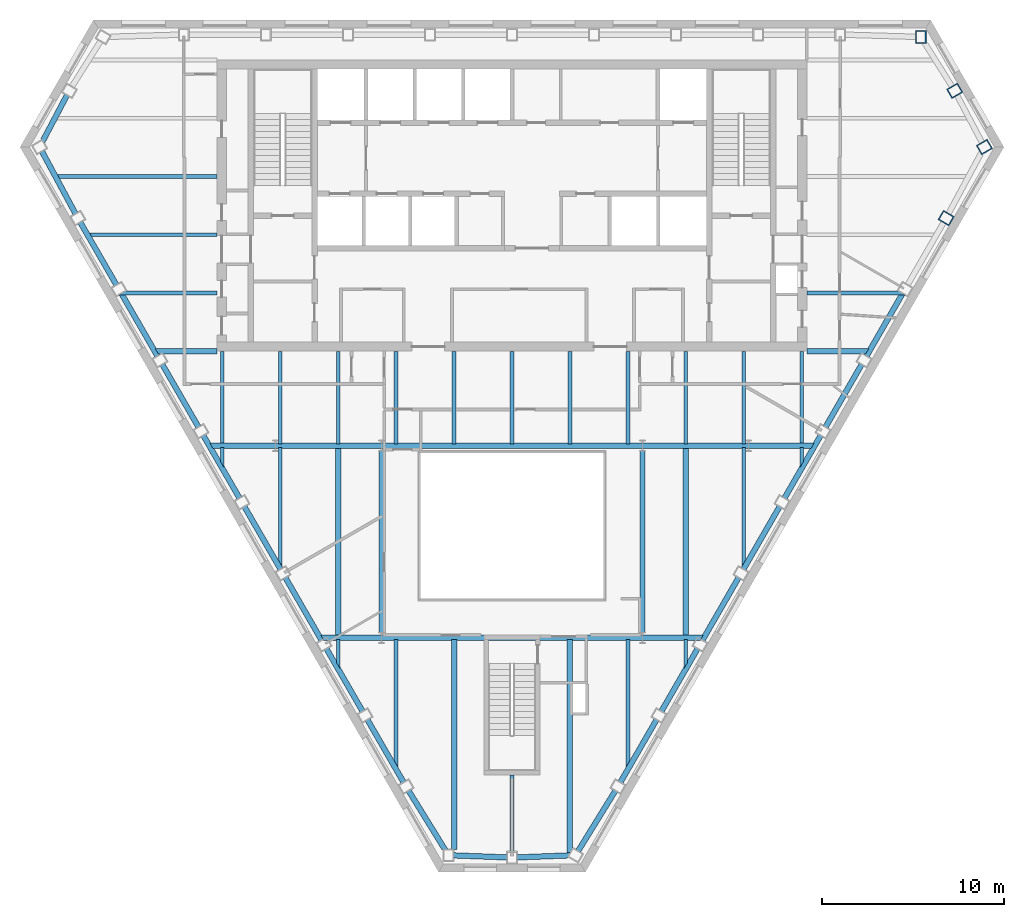
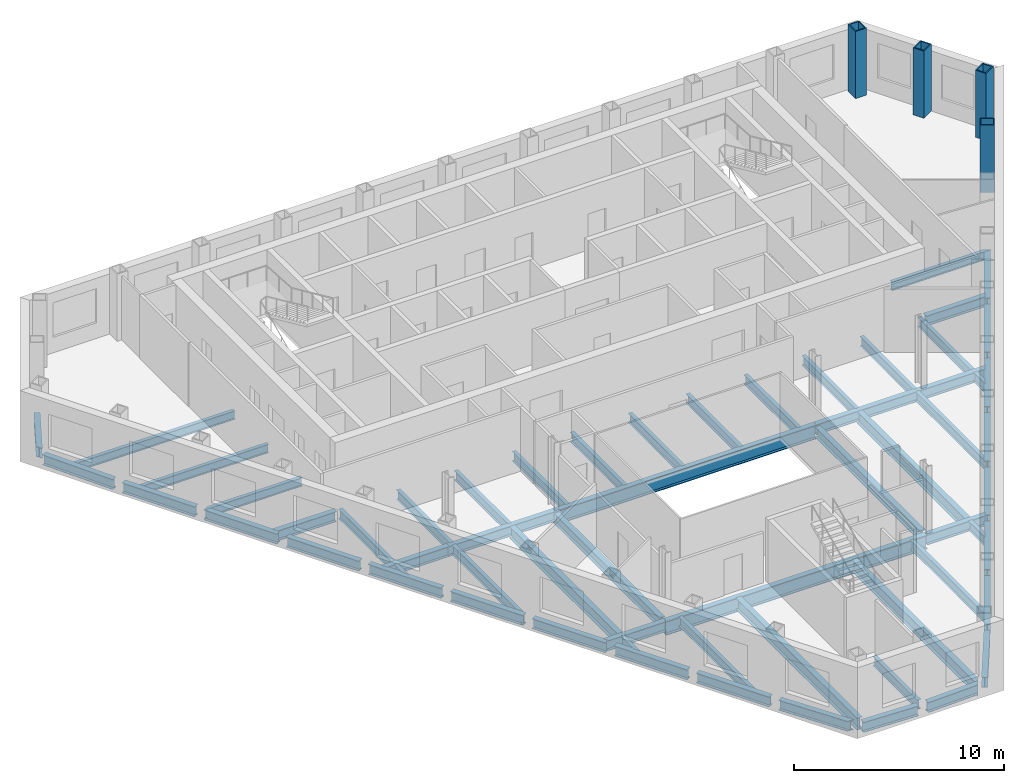
# One storey, part 2 of 11: 61 beams, 4 columns.
"""IFC4 building model written with IfcOpenShell, lengths in metres."""

from ifc_helpers import new_model, si_unit, direction, frame, origin, origin_2d, place, context, subcontext, project, spatial, hollow_rectangle, i_section, extrude, clip, halfspace, material, material_profile, profile_set, type_object, element, save


model = new_model("IFC4")

# Units and contexts
model_context = context("Model", 3, precision=1e-05, world=origin(), true_north=direction((0.0, 1.0)))
body_context = subcontext(model_context, "Body", "Model", "MODEL_VIEW")
ifc_project = project(units=[si_unit("LENGTHUNIT", "METRE"), si_unit("AREAUNIT", "SQUARE_METRE"), si_unit("VOLUMEUNIT", "CUBIC_METRE"), si_unit("PLANEANGLEUNIT", "RADIAN"), si_unit("MASSUNIT", "GRAM", prefix="KILO")], contexts=[model_context])

# Site, building, storey
site_placement = place(None, origin())
site = spatial("IfcSite", under=ifc_project, at=site_placement, CompositionType="ELEMENT")
building_placement = place(site_placement, origin())
building = spatial("IfcBuilding", under=site, at=building_placement, Name="Njiva Tower", CompositionType="ELEMENT")
storey_placement = place(building_placement, frame((0.0, 0.0, 182.7)))
storey = spatial("IfcBuildingStorey", under=building, at=storey_placement, Name="L40", CompositionType="ELEMENT", Elevation=182.7)

# Columns
ifc_material = material(Name="Steel S355 J2", Category="steel")
ifc_material_profile_1 = material_profile(ifc_material, hollow_rectangle(XDim=0.6, YDim=0.7, WallThickness=0.06, at=origin_2d()), Name="BOX 700x600x60")
ifc_profile_set_1 = profile_set([ifc_material_profile_1], Name="Steel S355 J2")
column_type = type_object("IfcColumnType", Name="C9 Perimeter tube column BOX 700x600x60", PredefinedType="COLUMN", material=ifc_profile_set_1)
for number, where, z_axis, x_axis, name in (
    (1, (22.466, 19.267, 0.0), (0.0, 0.0, 1.0), (-1.0, 0.0, 0.0), "Perimeter tube column S13-C01"),
    (2, (23.857, 9.315, 0.0), (0.0, 0.0, 1.0), (0.5, 0.866025403784, 0.0), "Perimeter tube column S13-C34"),
    (3, (25.958, 13.22, 0.0), (0.0, 0.0, 1.0), (-0.5, 0.866025403784, 0.0), "Perimeter tube column S13-C35"),
    (4, (24.327, 16.31, 0.0), (0.0, 0.0, 1.0), (-0.5, 0.866025403784, 0.0), "Perimeter tube column S13-C36"),
):
    element("IfcColumn", number, at=place(storey_placement, frame(where, z_axis=z_axis, x_axis=x_axis)), inside=storey, type_object=column_type, Name=name, PredefinedType="COLUMN", context=body_context, shape_type="SweptSolid", body=[
        extrude(hollow_rectangle(XDim=0.6, YDim=0.7, WallThickness=0.06, at=origin_2d()), origin(), (0.0, 0.0, 1.0), 3.9),
    ])

# Beams
ifc_material_profile_2 = material_profile(ifc_material, i_section(OverallWidth=0.3, OverallDepth=0.69, WebThickness=0.0145, FlangeThickness=0.027, at=origin_2d()), Name="HEA 700")
ifc_profile_set_2 = profile_set([ifc_material_profile_2], Name="Steel S355 J2")
beam_type_1 = type_object("IfcBeamType", Name="B12 Long-span floor joist HEA 700", PredefinedType="JOIST", material=ifc_profile_set_2)
beam_1_placement = place(storey_placement, frame((-9.55, -3.3, -0.545), z_axis=(0.0, -1.0, 0.0), x_axis=(1.0, 0.0, 0.0)))
element("IfcBeam", 5, at=beam_1_placement, inside=storey, type_object=beam_type_1, Name="Long-span floor joist S13-B056", PredefinedType="JOIST", context=body_context, shape_type="SweptSolid", body=[
    extrude(i_section(OverallWidth=0.3, OverallDepth=0.69, WebThickness=0.0145, FlangeThickness=0.027, at=origin_2d()), origin(), (0.0, 0.0, 1.0), 10.35),
])
beam_2_placement = place(storey_placement, frame((-3.183, -13.851, -0.545), z_axis=(0.0, -1.0, 0.0), x_axis=(1.0, 0.0, 0.0)))
element("IfcBeam", 6, at=beam_2_placement, inside=storey, type_object=beam_type_1, Name="Long-span floor joist S13-B061", PredefinedType="JOIST", context=body_context, shape_type="SweptSolid", body=[
    extrude(i_section(OverallWidth=0.3, OverallDepth=0.69, WebThickness=0.0145, FlangeThickness=0.027, at=origin_2d()), origin(), (0.0, 0.0, 1.0), 11.542),
])
beam_3_placement = place(storey_placement, frame((3.183, -13.851, -0.545), z_axis=(0.0, -1.0, 0.0), x_axis=(1.0, 0.0, 0.0)))
element("IfcBeam", 7, at=beam_3_placement, inside=storey, type_object=beam_type_1, Name="Long-span floor joist S13-B066", PredefinedType="JOIST", context=body_context, shape_type="Clipping", body=[
    clip(extrude(i_section(OverallWidth=0.3, OverallDepth=0.69, WebThickness=0.0145, FlangeThickness=0.027, at=origin_2d()), origin(), (0.0, 0.0, 1.0), 11.977), halfspace(frame((0.0436, 0.0, 11.6999), z_axis=(0.866026552831, 0.0, 0.499998009787), x_axis=(0.0, 1.0, 0.0)), False)),
])
beam_4_placement = place(storey_placement, frame((9.55, -3.3, -0.545), z_axis=(0.0, -1.0, 0.0), x_axis=(1.0, 0.0, 0.0)))
element("IfcBeam", 8, at=beam_4_placement, inside=storey, type_object=beam_type_1, Name="Long-span floor joist S13-B072", PredefinedType="JOIST", context=body_context, shape_type="SweptSolid", body=[
    extrude(i_section(OverallWidth=0.3, OverallDepth=0.69, WebThickness=0.0145, FlangeThickness=0.027, at=origin_2d()), origin(), (0.0, 0.0, 1.0), 10.35),
])
ifc_material_profile_3 = material_profile(ifc_material, i_section(OverallWidth=0.2, OverallDepth=0.5, WebThickness=0.0102, FlangeThickness=0.016, at=origin_2d()), Name="IPE 500")
ifc_profile_set_3 = profile_set([ifc_material_profile_3], Name="Steel S355 J2")
beam_type_2 = type_object("IfcBeamType", Name="B24 Floor beam to the core IPE 500", PredefinedType="BEAM", material=ifc_profile_set_3)
beam_5_placement = place(storey_placement, frame((-21.661, 5.2, -0.45), z_axis=(1.0, 0.0, 0.0), x_axis=(0.0, 1.0, 0.0)))
element("IfcBeam", 9, at=beam_5_placement, inside=storey, type_object=beam_type_2, Name="Floor beam to the core S13-B005", PredefinedType="BEAM", context=body_context, shape_type="Clipping", body=[
    clip(extrude(i_section(OverallWidth=0.2, OverallDepth=0.5, WebThickness=0.0102, FlangeThickness=0.016, at=origin_2d()), origin(), (0.0, 0.0, 1.0), 5.461), halfspace(frame((0.0433, 0.0, 0.2675), z_axis=(0.866026552831, 0.0, -0.499998009787), x_axis=(0.0, -1.0, 0.0)), False)),
])
beam_6_placement = place(storey_placement, frame((16.2, 5.2, -0.45), z_axis=(1.0, 0.0, 0.0), x_axis=(0.0, 1.0, 0.0)))
element("IfcBeam", 10, at=beam_6_placement, inside=storey, type_object=beam_type_2, Name="Floor beam to the core S13-B008", PredefinedType="BEAM", context=body_context, shape_type="Clipping", body=[
    clip(extrude(i_section(OverallWidth=0.2, OverallDepth=0.5, WebThickness=0.0102, FlangeThickness=0.016, at=origin_2d()), origin(), (0.0, 0.0, 1.0), 5.461), halfspace(frame((0.0433, 0.0, 5.1935), z_axis=(0.866026552831, 0.0, 0.499998009787), x_axis=(0.0, 1.0, 0.0)), False)),
])
beam_7_placement = place(storey_placement, frame((-23.291, 8.4, -0.45), z_axis=(1.0, 0.0, 0.0), x_axis=(0.0, 1.0, 0.0)))
element("IfcBeam", 11, at=beam_7_placement, inside=storey, type_object=beam_type_2, Name="Floor beam to the core S13-B003", PredefinedType="BEAM", context=body_context, shape_type="Clipping", body=[
    clip(extrude(i_section(OverallWidth=0.2, OverallDepth=0.5, WebThickness=0.0102, FlangeThickness=0.016, at=origin_2d()), origin(), (0.0, 0.0, 1.0), 7.091), halfspace(frame((-0.025, 0.0, 0.0924), z_axis=(-0.499998009787, 0.0, -0.866026552831), x_axis=(0.0, -1.0, 0.0)), False)),
])
beam_8_placement = place(storey_placement, frame((-25.047, 11.6, -0.45), z_axis=(1.0, 0.0, 0.0), x_axis=(0.0, 1.0, 0.0)))
element("IfcBeam", 12, at=beam_8_placement, inside=storey, type_object=beam_type_2, Name="Floor beam to the core S13-B002", PredefinedType="BEAM", context=body_context, shape_type="Clipping", body=[
    clip(extrude(i_section(OverallWidth=0.2, OverallDepth=0.5, WebThickness=0.0102, FlangeThickness=0.016, at=origin_2d()), origin(), (0.0, 0.0, 1.0), 8.847), halfspace(frame((-0.0237, 0.0, 0.0872), z_axis=(-0.473777178452, 0.0, -0.88064475538), x_axis=(0.0, -1.0, 0.0)), False)),
])
ifc_material_profile_4 = material_profile(ifc_material, i_section(OverallWidth=0.3, OverallDepth=0.59, WebThickness=0.013, FlangeThickness=0.025, at=origin_2d()), Name="HEA 600")
ifc_profile_set_4 = profile_set([ifc_material_profile_4], Name="Steel S355 J2")
beam_type_3 = type_object("IfcBeamType", Name="B27 Short-span spandrel beam HEA 600", PredefinedType="SPANDREL", material=ifc_profile_set_4)
beam_9_placement = place(storey_placement, frame((-24.446, 16.084, -0.495), z_axis=(-0.46666069487, -0.88443642839, 0.0), x_axis=(0.88443642839, -0.46666069487, 0.0)))
element("IfcBeam", 13, at=beam_9_placement, inside=storey, type_object=beam_type_3, Name="Short-span spandrel beam S13-B087", PredefinedType="SPANDREL", context=body_context, shape_type="Clipping", body=[
    clip(extrude(i_section(OverallWidth=0.3, OverallDepth=0.59, WebThickness=0.013, FlangeThickness=0.025, at=origin_2d()), origin(), (0.0, 0.0, 1.0), 2.9983), halfspace(frame((-0.0269, 0.0, 2.8676), z_axis=(-0.532616012597, 0.0, 0.846357006898), x_axis=(0.0, 1.0, 0.0)), False)),
])
beam_10_placement = place(storey_placement, frame((-25.837, 12.997, -0.495), z_axis=(0.473704904444, -0.880683634176, 0.0), x_axis=(0.880683634176, 0.473704904444, 0.0)))
element("IfcBeam", 14, at=beam_10_placement, inside=storey, type_object=beam_type_3, Name="Short-span spandrel beam S13-B086", PredefinedType="SPANDREL", context=body_context, shape_type="SweptSolid", body=[
    extrude(i_section(OverallWidth=0.3, OverallDepth=0.59, WebThickness=0.013, FlangeThickness=0.025, at=origin_2d()), origin(), (0.0, 0.0, 1.0), 3.9265),
])
beam_11_placement = place(storey_placement, frame((-23.732, 9.099, -0.495), z_axis=(0.500003221507, -0.866023543838, 0.0), x_axis=(0.866023543838, 0.500003221507, 0.0)))
element("IfcBeam", 15, at=beam_11_placement, inside=storey, type_object=beam_type_3, Name="Short-span spandrel beam S13-B091", PredefinedType="SPANDREL", context=body_context, shape_type="SweptSolid", body=[
    extrude(i_section(OverallWidth=0.3, OverallDepth=0.59, WebThickness=0.013, FlangeThickness=0.025, at=origin_2d()), origin(), (0.0, 0.0, 1.0), 4.008),
])
beam_12_placement = place(storey_placement, frame((-21.478, 5.195, -0.495), z_axis=(0.499974286969, -0.866040248701, 0.0), x_axis=(0.866040248701, 0.499974286969, 0.0)))
element("IfcBeam", 16, at=beam_12_placement, inside=storey, type_object=beam_type_3, Name="Short-span spandrel beam S13-B095", PredefinedType="SPANDREL", context=body_context, shape_type="SweptSolid", body=[
    extrude(i_section(OverallWidth=0.3, OverallDepth=0.59, WebThickness=0.013, FlangeThickness=0.025, at=origin_2d()), origin(), (0.0, 0.0, 1.0), 4.0102),
])
for number, where, z_axis, x_axis, name in (
    (17, (-19.223, 1.289, -0.495), (0.500003221507, -0.866023543838, 0.0), (0.866023543838, 0.500003221507, 0.0), "Short-span spandrel beam S13-B097"),
    (18, (-16.969, -2.615, -0.495), (0.500003221507, -0.866023543838, 0.0), (0.866023543838, 0.500003221507, 0.0), "Short-span spandrel beam S13-B101"),
):
    element("IfcBeam", number, at=place(storey_placement, frame(where, z_axis=z_axis, x_axis=x_axis)), inside=storey, type_object=beam_type_3, Name=name, PredefinedType="SPANDREL", context=body_context, shape_type="SweptSolid", body=[
        extrude(i_section(OverallWidth=0.3, OverallDepth=0.59, WebThickness=0.013, FlangeThickness=0.025, at=origin_2d()), origin(), (0.0, 0.0, 1.0), 4.008),
    ])
beam_13_placement = place(storey_placement, frame((-14.715, -6.519, -0.495), z_axis=(0.499974286969, -0.866040248701, 0.0), x_axis=(0.866040248701, 0.499974286969, 0.0)))
element("IfcBeam", 19, at=beam_13_placement, inside=storey, type_object=beam_type_3, Name="Short-span spandrel beam S13-B103", PredefinedType="SPANDREL", context=body_context, shape_type="SweptSolid", body=[
    extrude(i_section(OverallWidth=0.3, OverallDepth=0.59, WebThickness=0.013, FlangeThickness=0.025, at=origin_2d()), origin(), (0.0, 0.0, 1.0), 4.0102),
])
for number, where, z_axis, x_axis, name in (
    (20, (-12.46, -10.425, -0.495), (0.500003221507, -0.866023543838, 0.0), (0.866023543838, 0.500003221507, 0.0), "Short-span spandrel beam S13-B107"),
    (21, (-10.206, -14.329, -0.495), (0.500003221507, -0.866023543838, 0.0), (0.866023543838, 0.500003221507, 0.0), "Short-span spandrel beam S13-B109"),
):
    element("IfcBeam", number, at=place(storey_placement, frame(where, z_axis=z_axis, x_axis=x_axis)), inside=storey, type_object=beam_type_3, Name=name, PredefinedType="SPANDREL", context=body_context, shape_type="SweptSolid", body=[
        extrude(i_section(OverallWidth=0.3, OverallDepth=0.59, WebThickness=0.013, FlangeThickness=0.025, at=origin_2d()), origin(), (0.0, 0.0, 1.0), 4.008),
    ])
beam_14_placement = place(storey_placement, frame((-7.952, -18.233, -0.495), z_axis=(0.500082280366, -0.865977893981, 0.0), x_axis=(0.865977893981, 0.500082280366, 0.0)))
element("IfcBeam", 22, at=beam_14_placement, inside=storey, type_object=beam_type_3, Name="Short-span spandrel beam S13-B112", PredefinedType="SPANDREL", context=body_context, shape_type="SweptSolid", body=[
    extrude(i_section(OverallWidth=0.3, OverallDepth=0.59, WebThickness=0.013, FlangeThickness=0.025, at=origin_2d()), origin(), (0.0, 0.0, 1.0), 4.0093),
])
beam_15_placement = place(storey_placement, frame((-5.689, -22.137, -0.495), z_axis=(0.525670865085, -0.850688040118, 0.0), x_axis=(0.850688040118, 0.525670865085, 0.0)))
element("IfcBeam", 23, at=beam_15_placement, inside=storey, type_object=beam_type_3, Name="Short-span spandrel beam S13-B114", PredefinedType="SPANDREL", context=body_context, shape_type="Clipping", body=[
    clip(extrude(i_section(OverallWidth=0.3, OverallDepth=0.59, WebThickness=0.013, FlangeThickness=0.025, at=origin_2d()), origin(), (0.0, 0.0, 1.0), 3.9405), halfspace(frame((-0.0259, 0.0, 3.8115), z_axis=(-0.525670865085, 0.0, 0.850688040118), x_axis=(0.0, 1.0, 0.0)), False)),
])
beam_16_placement = place(storey_placement, frame((-3.236, -25.703, -0.495), z_axis=(0.999282312781, -0.037879537519, 0.0), x_axis=(0.037879537519, 0.999282312781, 0.0)))
element("IfcBeam", 24, at=beam_16_placement, inside=storey, type_object=beam_type_3, Name="Short-span spandrel beam S13-B118", PredefinedType="SPANDREL", context=body_context, shape_type="SweptSolid", body=[
    extrude(i_section(OverallWidth=0.3, OverallDepth=0.59, WebThickness=0.013, FlangeThickness=0.025, at=origin_2d()), origin(), (0.0, 0.0, 1.0), 2.9831),
])
beam_17_placement = place(storey_placement, frame((0.255, -25.816, -0.495), z_axis=(0.999272399095, 0.038140167904, 0.0), x_axis=(-0.038140167904, 0.999272399095, 0.0)))
element("IfcBeam", 25, at=beam_17_placement, inside=storey, type_object=beam_type_3, Name="Short-span spandrel beam S13-B119", PredefinedType="SPANDREL", context=body_context, shape_type="Clipping", body=[
    clip(extrude(i_section(OverallWidth=0.3, OverallDepth=0.59, WebThickness=0.013, FlangeThickness=0.025, at=origin_2d()), origin(), (0.0, 0.0, 1.0), 2.9981), halfspace(frame((-0.027, 0.0, 2.8672), z_axis=(-0.532664608917, 0.0, 0.846326423082), x_axis=(0.0, 1.0, 0.0)), False)),
])
beam_18_placement = place(storey_placement, frame((3.625, -25.477, -0.495), z_axis=(0.525688073686, 0.850677406062, 0.0), x_axis=(-0.850677406062, 0.525688073686, 0.0)))
element("IfcBeam", 26, at=beam_18_placement, inside=storey, type_object=beam_type_3, Name="Short-span spandrel beam S13-B123", PredefinedType="SPANDREL", context=body_context, shape_type="SweptSolid", body=[
    extrude(i_section(OverallWidth=0.3, OverallDepth=0.59, WebThickness=0.013, FlangeThickness=0.025, at=origin_2d()), origin(), (0.0, 0.0, 1.0), 3.9263),
])
beam_19_placement = place(storey_placement, frame((5.947, -21.705, -0.495), z_axis=(0.500082280366, 0.865977893981, 0.0), x_axis=(-0.865977893981, 0.500082280366, 0.0)))
element("IfcBeam", 27, at=beam_19_placement, inside=storey, type_object=beam_type_3, Name="Short-span spandrel beam S13-B126", PredefinedType="SPANDREL", context=body_context, shape_type="SweptSolid", body=[
    extrude(i_section(OverallWidth=0.3, OverallDepth=0.59, WebThickness=0.013, FlangeThickness=0.025, at=origin_2d()), origin(), (0.0, 0.0, 1.0), 4.0093),
])
for number, where, z_axis, x_axis, name in (
    (28, (8.202, -17.8, -0.495), (0.500003221507, 0.866023543838, 0.0), (-0.866023543838, 0.500003221507, 0.0), "Short-span spandrel beam S13-B128"),
    (29, (10.456, -13.896, -0.495), (0.500003221507, 0.866023543838, 0.0), (-0.866023543838, 0.500003221507, 0.0), "Short-span spandrel beam S13-B132"),
):
    element("IfcBeam", number, at=place(storey_placement, frame(where, z_axis=z_axis, x_axis=x_axis)), inside=storey, type_object=beam_type_3, Name=name, PredefinedType="SPANDREL", context=body_context, shape_type="SweptSolid", body=[
        extrude(i_section(OverallWidth=0.3, OverallDepth=0.59, WebThickness=0.013, FlangeThickness=0.025, at=origin_2d()), origin(), (0.0, 0.0, 1.0), 4.008),
    ])
beam_20_placement = place(storey_placement, frame((12.71, -9.992, -0.495), z_axis=(0.499974286969, 0.866040248701, 0.0), x_axis=(-0.866040248701, 0.499974286969, 0.0)))
element("IfcBeam", 30, at=beam_20_placement, inside=storey, type_object=beam_type_3, Name="Short-span spandrel beam S13-B134", PredefinedType="SPANDREL", context=body_context, shape_type="SweptSolid", body=[
    extrude(i_section(OverallWidth=0.3, OverallDepth=0.59, WebThickness=0.013, FlangeThickness=0.025, at=origin_2d()), origin(), (0.0, 0.0, 1.0), 4.0102),
])
for number, where, z_axis, x_axis, name in (
    (31, (14.965, -6.086, -0.495), (0.500003221507, 0.866023543838, 0.0), (-0.866023543838, 0.500003221507, 0.0), "Short-span spandrel beam S13-B138"),
    (32, (17.219, -2.182, -0.495), (0.500003221507, 0.866023543838, 0.0), (-0.866023543838, 0.500003221507, 0.0), "Short-span spandrel beam S13-B140"),
):
    element("IfcBeam", number, at=place(storey_placement, frame(where, z_axis=z_axis, x_axis=x_axis)), inside=storey, type_object=beam_type_3, Name=name, PredefinedType="SPANDREL", context=body_context, shape_type="SweptSolid", body=[
        extrude(i_section(OverallWidth=0.3, OverallDepth=0.59, WebThickness=0.013, FlangeThickness=0.025, at=origin_2d()), origin(), (0.0, 0.0, 1.0), 4.008),
    ])
beam_21_placement = place(storey_placement, frame((19.473, 1.722, -0.495), z_axis=(0.499974286969, 0.866040248701, 0.0), x_axis=(-0.866040248701, 0.499974286969, 0.0)))
element("IfcBeam", 33, at=beam_21_placement, inside=storey, type_object=beam_type_3, Name="Short-span spandrel beam S13-B144", PredefinedType="SPANDREL", context=body_context, shape_type="SweptSolid", body=[
    extrude(i_section(OverallWidth=0.3, OverallDepth=0.59, WebThickness=0.013, FlangeThickness=0.025, at=origin_2d()), origin(), (0.0, 0.0, 1.0), 4.0102),
])
ifc_material_profile_5 = material_profile(ifc_material, i_section(OverallWidth=0.3, OverallDepth=0.59, WebThickness=0.013, FlangeThickness=0.025, at=origin_2d()), Name="HEA 600")
ifc_profile_set_5 = profile_set([ifc_material_profile_5], Name="Steel S355 J2")
beam_type_4 = type_object("IfcBeamType", Name="B28 Floor girder HEA 600", PredefinedType="BEAM", material=ifc_profile_set_5)
for number, where, z_axis, x_axis, name in (
    (34, (-13.0, -3.2, -0.495), (1.0, 0.0, 0.0), (0.0, 1.0, 0.0), "Floor girder S13-B015"),
    (35, (7.17, -3.2, -0.495), (1.0, 0.0, 0.0), (0.0, 1.0, 0.0), "Floor girder S13-B018"),
):
    element("IfcBeam", number, at=place(storey_placement, frame(where, z_axis=z_axis, x_axis=x_axis)), inside=storey, type_object=beam_type_4, Name=name, PredefinedType="BEAM", context=body_context, shape_type="SweptSolid", body=[
        extrude(i_section(OverallWidth=0.3, OverallDepth=0.59, WebThickness=0.013, FlangeThickness=0.025, at=origin_2d()), origin(), (0.0, 0.0, 1.0), 5.83),
    ])
ifc_material_profile_6 = material_profile(ifc_material, i_section(OverallWidth=0.3, OverallDepth=0.59, WebThickness=0.013, FlangeThickness=0.025, at=origin_2d()), Name="HEA 600")
ifc_profile_set_6 = profile_set([ifc_material_profile_6], Name="Steel S355 J2")
beam_type_5 = type_object("IfcBeamType", Name="B29 Short-span floor girder HEA 600", PredefinedType="BEAM", material=ifc_profile_set_6)
beam_22_placement = place(storey_placement, frame((-16.623, -3.2, -0.495), z_axis=(1.0, 0.0, 0.0), x_axis=(0.0, 1.0, 0.0)))
element("IfcBeam", 36, at=beam_22_placement, inside=storey, type_object=beam_type_5, Name="Short-span floor girder S13-B014", PredefinedType="BEAM", context=body_context, shape_type="Clipping", body=[
    clip(extrude(i_section(OverallWidth=0.3, OverallDepth=0.59, WebThickness=0.013, FlangeThickness=0.025, at=origin_2d()), origin(), (0.0, 0.0, 1.0), 3.623), halfspace(frame((-0.025, 0.0, 0.1217), z_axis=(-0.499998009787, 0.0, -0.866026552831), x_axis=(0.0, -1.0, 0.0)), False)),
])
beam_23_placement = place(storey_placement, frame((13.0, -3.2, -0.495), z_axis=(1.0, 0.0, 0.0), x_axis=(0.0, 1.0, 0.0)))
element("IfcBeam", 37, at=beam_23_placement, inside=storey, type_object=beam_type_5, Name="Short-span floor girder S13-B019", PredefinedType="BEAM", context=body_context, shape_type="Clipping", body=[
    clip(extrude(i_section(OverallWidth=0.3, OverallDepth=0.59, WebThickness=0.013, FlangeThickness=0.025, at=origin_2d()), origin(), (0.0, 0.0, 1.0), 3.623), halfspace(frame((-0.025, 0.0, 3.5013), z_axis=(-0.499998009787, 0.0, 0.866026552831), x_axis=(0.0, 1.0, 0.0)), False)),
])
beam_24_placement = place(storey_placement, frame((-10.532, -13.75, -0.495), z_axis=(1.0, 0.0, 0.0), x_axis=(0.0, 1.0, 0.0)))
element("IfcBeam", 38, at=beam_24_placement, inside=storey, type_object=beam_type_5, Name="Short-span floor girder S13-B016", PredefinedType="BEAM", context=body_context, shape_type="Clipping", body=[
    clip(extrude(i_section(OverallWidth=0.3, OverallDepth=0.59, WebThickness=0.013, FlangeThickness=0.025, at=origin_2d()), origin(), (0.0, 0.0, 1.0), 3.362), halfspace(frame((-0.025, 0.0, 0.1217), z_axis=(-0.499998009787, 0.0, -0.866026552831), x_axis=(0.0, -1.0, 0.0)), False)),
])
beam_25_placement = place(storey_placement, frame((7.17, -13.75, -0.495), z_axis=(1.0, 0.0, 0.0), x_axis=(0.0, 1.0, 0.0)))
element("IfcBeam", 39, at=beam_25_placement, inside=storey, type_object=beam_type_5, Name="Short-span floor girder S13-B017", PredefinedType="BEAM", context=body_context, shape_type="Clipping", body=[
    clip(extrude(i_section(OverallWidth=0.3, OverallDepth=0.59, WebThickness=0.013, FlangeThickness=0.025, at=origin_2d()), origin(), (0.0, 0.0, 1.0), 3.362), halfspace(frame((-0.025, 0.0, 3.2403), z_axis=(-0.499998009787, 0.0, 0.866026552831), x_axis=(0.0, 1.0, 0.0)), False)),
])
beam_26_placement = place(storey_placement, frame((-19.625, 2.0, -0.495), z_axis=(1.0, 0.0, 0.0), x_axis=(0.0, 1.0, 0.0)))
element("IfcBeam", 40, at=beam_26_placement, inside=storey, type_object=beam_type_5, Name="Short-span floor girder S13-B013", PredefinedType="BEAM", context=body_context, shape_type="Clipping", body=[
    clip(extrude(i_section(OverallWidth=0.3, OverallDepth=0.59, WebThickness=0.013, FlangeThickness=0.025, at=origin_2d()), origin(), (0.0, 0.0, 1.0), 3.425), halfspace(frame((-0.025, 0.0, 0.1214), z_axis=(-0.499998009787, 0.0, -0.866026552831), x_axis=(0.0, -1.0, 0.0)), False)),
])
beam_27_placement = place(storey_placement, frame((16.2, 2.0, -0.495), z_axis=(1.0, 0.0, 0.0), x_axis=(0.0, 1.0, 0.0)))
element("IfcBeam", 41, at=beam_27_placement, inside=storey, type_object=beam_type_5, Name="Short-span floor girder S13-B020", PredefinedType="BEAM", context=body_context, shape_type="Clipping", body=[
    clip(extrude(i_section(OverallWidth=0.3, OverallDepth=0.59, WebThickness=0.013, FlangeThickness=0.025, at=origin_2d()), origin(), (0.0, 0.0, 1.0), 3.425), halfspace(frame((-0.025, 0.0, 3.3036), z_axis=(-0.499998009787, 0.0, 0.866026552831), x_axis=(0.0, 1.0, 0.0)), False)),
])
ifc_material_profile_7 = material_profile(ifc_material, i_section(OverallWidth=0.3, OverallDepth=0.59, WebThickness=0.013, FlangeThickness=0.025, at=origin_2d()), Name="HEA 600")
ifc_profile_set_7 = profile_set([ifc_material_profile_7], Name="Steel S355 J2")
beam_type_6 = type_object("IfcBeamType", Name="B30 Long-span atrium trimmer beam HEA 600", PredefinedType="BEAM", material=ifc_profile_set_7)
for number, where, z_axis, x_axis, name in (
    (42, (7.17, -13.49, -0.495), (0.0, 1.0, 0.0), (-1.0, 0.0, 0.0), "Long-span atrium trimmer beam S13-B084"),
    (43, (-7.17, -3.46, -0.495), (0.0, -1.0, 0.0), (1.0, 0.0, 0.0), "Long-span atrium trimmer beam S13-B081"),
):
    element("IfcBeam", number, at=place(storey_placement, frame(where, z_axis=z_axis, x_axis=x_axis)), inside=storey, type_object=beam_type_6, Name=name, PredefinedType="BEAM", context=body_context, shape_type="SweptSolid", body=[
        extrude(i_section(OverallWidth=0.3, OverallDepth=0.59, WebThickness=0.013, FlangeThickness=0.025, at=origin_2d()), origin(), (0.0, 0.0, 1.0), 10.03),
    ])
ifc_material_profile_8 = material_profile(ifc_material, i_section(OverallWidth=0.21, OverallDepth=0.55, WebThickness=0.0111, FlangeThickness=0.0172, at=origin_2d()), Name="IPE 550")
ifc_profile_set_8 = profile_set([ifc_material_profile_8], Name="Steel S355 J2")
beam_type_7 = type_object("IfcBeamType", Name="B31 Short-span floor joist IPE 550", PredefinedType="JOIST", material=ifc_profile_set_8)
beam_28_placement = place(storey_placement, frame((-15.917, -3.3, -0.475), z_axis=(0.0, -1.0, 0.0), x_axis=(1.0, 0.0, 0.0)))
element("IfcBeam", 44, at=beam_28_placement, inside=storey, type_object=beam_type_7, Name="Short-span floor joist S13-B050", PredefinedType="JOIST", context=body_context, shape_type="Clipping", body=[
    clip(extrude(i_section(OverallWidth=0.21, OverallDepth=0.55, WebThickness=0.0111, FlangeThickness=0.0172, at=origin_2d()), origin(), (0.0, 0.0, 1.0), 1.14), halfspace(frame((-0.043, 0.0, 0.8627), z_axis=(-0.866026552831, 0.0, 0.499998009787), x_axis=(0.0, 1.0, 0.0)), False)),
])
beam_29_placement = place(storey_placement, frame((-9.55, -13.85, -0.475), z_axis=(0.0, -1.0, 0.0), x_axis=(1.0, 0.0, 0.0)))
element("IfcBeam", 45, at=beam_29_placement, inside=storey, type_object=beam_type_7, Name="Short-span floor joist S13-B055", PredefinedType="JOIST", context=body_context, shape_type="Clipping", body=[
    clip(extrude(i_section(OverallWidth=0.21, OverallDepth=0.55, WebThickness=0.0111, FlangeThickness=0.0172, at=origin_2d()), origin(), (0.0, 0.0, 1.0), 1.617), halfspace(frame((-0.0433, 0.0, 1.3401), z_axis=(-0.866026552831, 0.0, 0.499998009787), x_axis=(0.0, 1.0, 0.0)), False)),
])
beam_30_placement = place(storey_placement, frame((0.0, -21.3, -0.475), z_axis=(0.0, -1.0, 0.0), x_axis=(1.0, 0.0, 0.0)))
element("IfcBeam", 46, at=beam_30_placement, inside=storey, type_object=beam_type_7, Name="Short-span floor joist S13-B064", PredefinedType="JOIST", context=body_context, shape_type="SweptSolid", body=[
    extrude(i_section(OverallWidth=0.21, OverallDepth=0.55, WebThickness=0.0111, FlangeThickness=0.0172, at=origin_2d()), origin(), (0.0, 0.0, 1.0), 4.226),
])
beam_31_placement = place(storey_placement, frame((9.55, -13.85, -0.475), z_axis=(0.0, -1.0, 0.0), x_axis=(1.0, 0.0, 0.0)))
element("IfcBeam", 47, at=beam_31_placement, inside=storey, type_object=beam_type_7, Name="Short-span floor joist S13-B071", PredefinedType="JOIST", context=body_context, shape_type="Clipping", body=[
    clip(extrude(i_section(OverallWidth=0.21, OverallDepth=0.55, WebThickness=0.0111, FlangeThickness=0.0172, at=origin_2d()), origin(), (0.0, 0.0, 1.0), 1.617), halfspace(frame((0.0433, 0.0, 1.3401), z_axis=(0.866026552831, 0.0, 0.499998009787), x_axis=(0.0, 1.0, 0.0)), False)),
])
beam_32_placement = place(storey_placement, frame((15.917, -3.3, -0.475), z_axis=(0.0, -1.0, 0.0), x_axis=(1.0, 0.0, 0.0)))
element("IfcBeam", 48, at=beam_32_placement, inside=storey, type_object=beam_type_7, Name="Short-span floor joist S13-B077", PredefinedType="JOIST", context=body_context, shape_type="Clipping", body=[
    clip(extrude(i_section(OverallWidth=0.21, OverallDepth=0.55, WebThickness=0.0111, FlangeThickness=0.0172, at=origin_2d()), origin(), (0.0, 0.0, 1.0), 1.14), halfspace(frame((0.043, 0.0, 0.8627), z_axis=(0.866026552831, 0.0, 0.499998009787), x_axis=(0.0, 1.0, 0.0)), False)),
])
ifc_material_profile_9 = material_profile(ifc_material, i_section(OverallWidth=0.21, OverallDepth=0.55, WebThickness=0.0111, FlangeThickness=0.0172, at=origin_2d()), Name="IPE 550")
ifc_profile_set_9 = profile_set([ifc_material_profile_9], Name="Steel S355 J2")
beam_type_8 = type_object("IfcBeamType", Name="B32 Floor joist IPE 550", PredefinedType="JOIST", material=ifc_profile_set_9)
for number, where, z_axis, x_axis, name in (
    (49, (-15.917, 1.995, -0.475), (0.0, -1.0, 0.0), (1.0, 0.0, 0.0), "Floor joist S13-B051"),
    (50, (-12.733, 1.995, -0.475), (0.0, -1.0, 0.0), (1.0, 0.0, 0.0), "Floor joist S13-B054"),
):
    element("IfcBeam", number, at=place(storey_placement, frame(where, z_axis=z_axis, x_axis=x_axis)), inside=storey, type_object=beam_type_8, Name=name, PredefinedType="JOIST", context=body_context, shape_type="SweptSolid", body=[
        extrude(i_section(OverallWidth=0.21, OverallDepth=0.55, WebThickness=0.0111, FlangeThickness=0.0172, at=origin_2d()), origin(), (0.0, 0.0, 1.0), 5.095),
    ])
beam_33_placement = place(storey_placement, frame((-12.733, -3.3, -0.475), z_axis=(0.0, -1.0, 0.0), x_axis=(1.0, 0.0, 0.0)))
element("IfcBeam", 51, at=beam_33_placement, inside=storey, type_object=beam_type_8, Name="Floor joist S13-B052", PredefinedType="JOIST", context=body_context, shape_type="Clipping", body=[
    clip(extrude(i_section(OverallWidth=0.21, OverallDepth=0.55, WebThickness=0.0111, FlangeThickness=0.0172, at=origin_2d()), origin(), (0.0, 0.0, 1.0), 6.786), halfspace(frame((0.0247, 0.0, 6.6905), z_axis=(0.499998009787, 0.0, 0.866026552831), x_axis=(0.0, 1.0, 0.0)), False)),
])
beam_34_placement = place(storey_placement, frame((-9.55, 1.995, -0.475), z_axis=(0.0, -1.0, 0.0), x_axis=(1.0, 0.0, 0.0)))
element("IfcBeam", 52, at=beam_34_placement, inside=storey, type_object=beam_type_8, Name="Floor joist S13-B057", PredefinedType="JOIST", context=body_context, shape_type="SweptSolid", body=[
    extrude(i_section(OverallWidth=0.21, OverallDepth=0.55, WebThickness=0.0111, FlangeThickness=0.0172, at=origin_2d()), origin(), (0.0, 0.0, 1.0), 5.095),
])
beam_35_placement = place(storey_placement, frame((-6.367, 1.995, -0.475), z_axis=(0.0, -1.0, 0.0), x_axis=(1.0, 0.0, 0.0)))
element("IfcBeam", 53, at=beam_35_placement, inside=storey, type_object=beam_type_8, Name="Floor joist S13-B059", PredefinedType="JOIST", context=body_context, shape_type="SweptSolid", body=[
    extrude(i_section(OverallWidth=0.21, OverallDepth=0.55, WebThickness=0.0111, FlangeThickness=0.0172, at=origin_2d()), origin(), (0.0, 0.0, 1.0), 5.094),
])
beam_36_placement = place(storey_placement, frame((-6.367, -13.851, -0.475), z_axis=(0.0, -1.0, 0.0), x_axis=(1.0, 0.0, 0.0)))
element("IfcBeam", 54, at=beam_36_placement, inside=storey, type_object=beam_type_8, Name="Floor joist S13-B058", PredefinedType="JOIST", context=body_context, shape_type="Clipping", body=[
    clip(extrude(i_section(OverallWidth=0.21, OverallDepth=0.55, WebThickness=0.0111, FlangeThickness=0.0172, at=origin_2d()), origin(), (0.0, 0.0, 1.0), 7.13), halfspace(frame((-0.043, 0.0, 6.8528), z_axis=(-0.866026552831, 0.0, 0.499998009787), x_axis=(0.0, 1.0, 0.0)), False)),
])
for number, where, z_axis, x_axis, name in (
    (55, (-3.183, 1.995, -0.475), (0.0, -1.0, 0.0), (1.0, 0.0, 0.0), "Floor joist S13-B062"),
    (56, (0.0, 1.995, -0.475), (0.0, -1.0, 0.0), (1.0, 0.0, 0.0), "Floor joist S13-B065"),
    (57, (3.183, 1.995, -0.475), (0.0, -1.0, 0.0), (1.0, 0.0, 0.0), "Floor joist S13-B068"),
    (58, (6.367, 1.995, -0.475), (0.0, -1.0, 0.0), (1.0, 0.0, 0.0), "Floor joist S13-B070"),
):
    element("IfcBeam", number, at=place(storey_placement, frame(where, z_axis=z_axis, x_axis=x_axis)), inside=storey, type_object=beam_type_8, Name=name, PredefinedType="JOIST", context=body_context, shape_type="SweptSolid", body=[
        extrude(i_section(OverallWidth=0.21, OverallDepth=0.55, WebThickness=0.0111, FlangeThickness=0.0172, at=origin_2d()), origin(), (0.0, 0.0, 1.0), 5.094),
    ])
beam_37_placement = place(storey_placement, frame((6.367, -13.851, -0.475), z_axis=(0.0, -1.0, 0.0), x_axis=(1.0, 0.0, 0.0)))
element("IfcBeam", 59, at=beam_37_placement, inside=storey, type_object=beam_type_8, Name="Floor joist S13-B069", PredefinedType="JOIST", context=body_context, shape_type="Clipping", body=[
    clip(extrude(i_section(OverallWidth=0.21, OverallDepth=0.55, WebThickness=0.0111, FlangeThickness=0.0172, at=origin_2d()), origin(), (0.0, 0.0, 1.0), 7.13), halfspace(frame((0.043, 0.0, 6.8528), z_axis=(0.866026552831, 0.0, 0.499998009787), x_axis=(0.0, 1.0, 0.0)), False)),
])
for number, where, z_axis, x_axis, name in (
    (60, (9.55, 1.995, -0.475), (0.0, -1.0, 0.0), (1.0, 0.0, 0.0), "Floor joist S13-B073"),
    (61, (12.733, 1.995, -0.475), (0.0, -1.0, 0.0), (1.0, 0.0, 0.0), "Floor joist S13-B076"),
):
    element("IfcBeam", number, at=place(storey_placement, frame(where, z_axis=z_axis, x_axis=x_axis)), inside=storey, type_object=beam_type_8, Name=name, PredefinedType="JOIST", context=body_context, shape_type="SweptSolid", body=[
        extrude(i_section(OverallWidth=0.21, OverallDepth=0.55, WebThickness=0.0111, FlangeThickness=0.0172, at=origin_2d()), origin(), (0.0, 0.0, 1.0), 5.095),
    ])
beam_38_placement = place(storey_placement, frame((12.733, -3.3, -0.475), z_axis=(0.0, -1.0, 0.0), x_axis=(1.0, 0.0, 0.0)))
element("IfcBeam", 62, at=beam_38_placement, inside=storey, type_object=beam_type_8, Name="Floor joist S13-B074", PredefinedType="JOIST", context=body_context, shape_type="Clipping", body=[
    clip(extrude(i_section(OverallWidth=0.21, OverallDepth=0.55, WebThickness=0.0111, FlangeThickness=0.0172, at=origin_2d()), origin(), (0.0, 0.0, 1.0), 6.786), halfspace(frame((-0.0247, 0.0, 6.6905), z_axis=(-0.499998009787, 0.0, 0.866026552831), x_axis=(0.0, 1.0, 0.0)), False)),
])
beam_39_placement = place(storey_placement, frame((15.917, 1.995, -0.475), z_axis=(0.0, -1.0, 0.0), x_axis=(1.0, 0.0, 0.0)))
element("IfcBeam", 63, at=beam_39_placement, inside=storey, type_object=beam_type_8, Name="Floor joist S13-B078", PredefinedType="JOIST", context=body_context, shape_type="SweptSolid", body=[
    extrude(i_section(OverallWidth=0.21, OverallDepth=0.55, WebThickness=0.0111, FlangeThickness=0.0172, at=origin_2d()), origin(), (0.0, 0.0, 1.0), 5.095),
])
ifc_material_profile_10 = material_profile(ifc_material, i_section(OverallWidth=0.303, OverallDepth=0.814, WebThickness=0.021, FlangeThickness=0.04, at=origin_2d()), Name="HEM 800")
ifc_profile_set_10 = profile_set([ifc_material_profile_10], Name="Steel S355 J2")
beam_type_9 = type_object("IfcBeamType", Name="B36 Long-span atrium trimmer beam HEM 800", PredefinedType="BEAM", material=ifc_profile_set_10)
for number, where, z_axis, x_axis, name in (
    (64, (-7.17, -13.75, -0.607), (1.0, 0.0, 0.0), (0.0, 1.0, 0.0), "Long-span atrium trimmer beam S13-B080"),
    (65, (7.17, -3.2, -0.607), (-1.0, 0.0, 0.0), (0.0, -1.0, 0.0), "Long-span atrium trimmer beam S13-B082"),
):
    element("IfcBeam", number, at=place(storey_placement, frame(where, z_axis=z_axis, x_axis=x_axis)), inside=storey, type_object=beam_type_9, Name=name, PredefinedType="BEAM", context=body_context, shape_type="SweptSolid", body=[
        extrude(i_section(OverallWidth=0.303, OverallDepth=0.814, WebThickness=0.021, FlangeThickness=0.04, at=origin_2d()), origin(), (0.0, 0.0, 1.0), 14.34),
    ])

save(model, "model.ifc")
